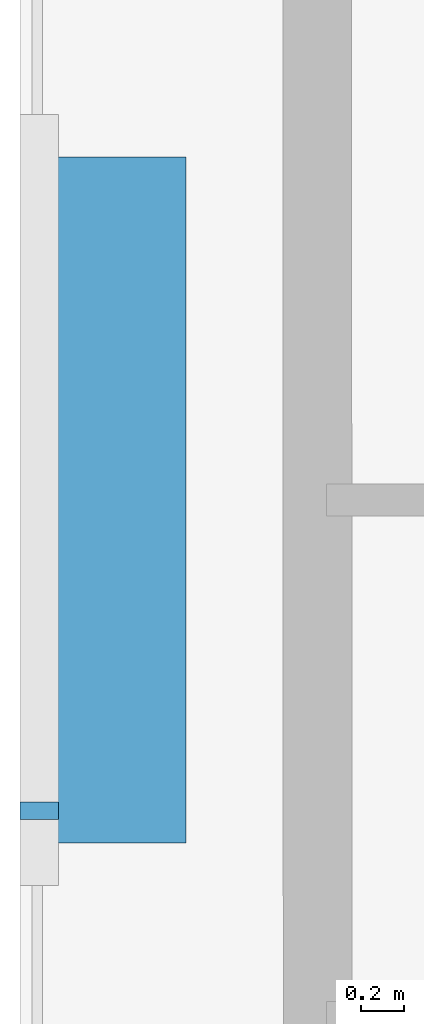
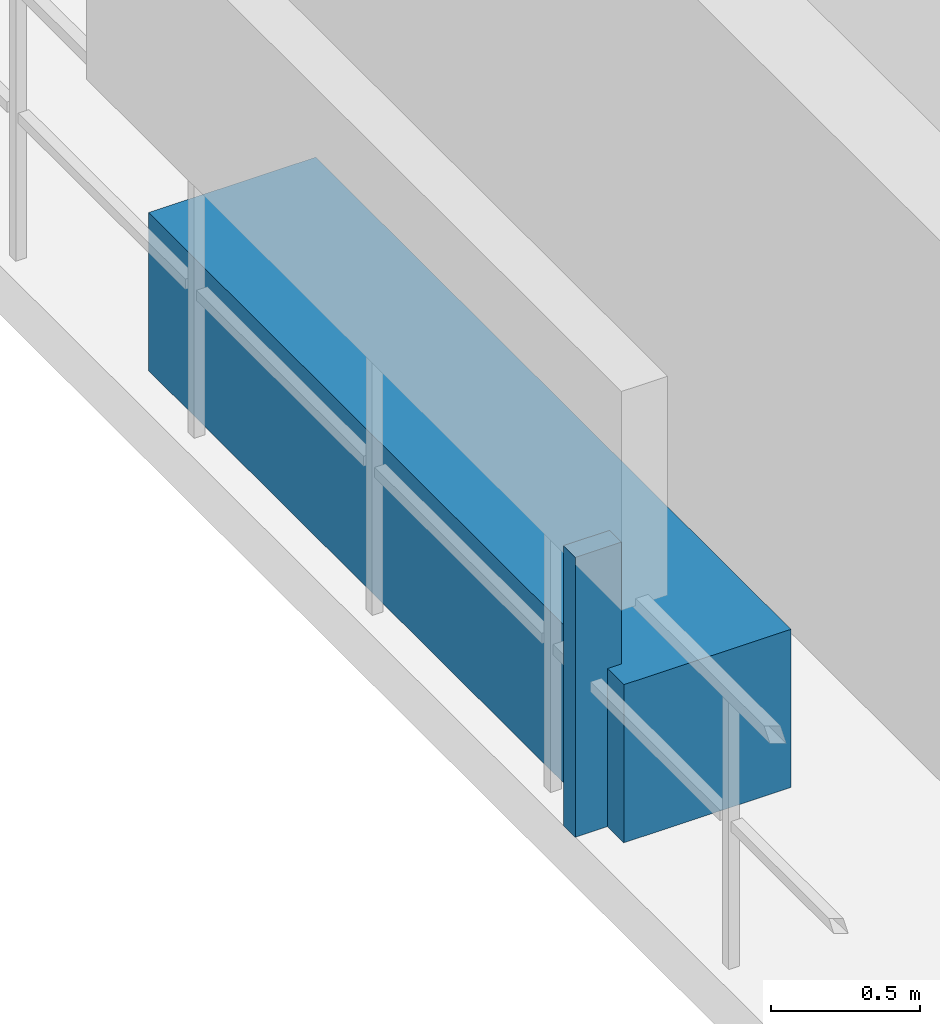
# One storey, part 29 of 34: 2 discrete accessories.
"""IFC4 building model written with IfcOpenShell, lengths in metres."""

from ifc_helpers import new_model, si_unit, direction, frame, origin, origin_2d, place, context, subcontext, project, spatial, rectangle, extrude, material, type_object, element, save


model = new_model("IFC4")

# Units and contexts
model_context = context("Model", 3, precision=1e-05, world=origin(), true_north=direction((0.0, 1.0)))
body_context = subcontext(model_context, "Body", "Model", "MODEL_VIEW")
ifc_project = project(units=[si_unit("LENGTHUNIT", "METRE"), si_unit("AREAUNIT", "SQUARE_METRE"), si_unit("VOLUMEUNIT", "CUBIC_METRE"), si_unit("PLANEANGLEUNIT", "RADIAN"), si_unit("MASSUNIT", "GRAM", prefix="KILO")], contexts=[model_context])

# Site, building, storey
site_placement = place(None, origin())
site = spatial("IfcSite", under=ifc_project, at=site_placement, CompositionType="ELEMENT")
building_placement = place(site_placement, origin())
building = spatial("IfcBuilding", under=site, at=building_placement, Name="Thornwick Lancets Civic Towers", CompositionType="ELEMENT")
storey_placement = place(building_placement, frame((0.0, 0.0, 251.10009765625)))
storey = spatial("IfcBuildingStorey", under=building, at=storey_placement, Name="L67", CompositionType="ELEMENT", Elevation=251.10009765625)

# Discrete accessories
ifc_material_1 = material(Name="Planted terracotta greenery planter", Category="masonry")
discrete_accessory_type_1 = type_object("IfcDiscreteAccessoryType", Name="ACC_PLANTER_BOX", PredefinedType="USERDEFINED", material=ifc_material_1)
discrete_accessory_1_placement = place(storey_placement, frame((0.800048828125, 27.0, 0.0), z_axis=(0.0, 0.0, 1.0), x_axis=(1.0, 0.0, 0.0)))
element("IfcDiscreteAccessory", 1, at=discrete_accessory_1_placement, inside=storey, type_object=discrete_accessory_type_1, Name="L67 Tower A Balcony Greenery Planter W", ObjectType="PLANTER", PredefinedType="USERDEFINED", context=body_context, shape_type="SweptSolid", body=[
    extrude(rectangle(XDim=0.64990234375, YDim=3.199951171875, at=origin_2d()), origin(), (0.0, 0.0, 1.0), 0.64990234375),
])
ifc_material_2 = material(Name="Stainless steel S355", Category="steel")
discrete_accessory_type_2 = type_object("IfcDiscreteAccessoryType", Name="ACC_SCREEN_BRACKET", PredefinedType="BRACKET", material=ifc_material_2)
discrete_accessory_2_placement = place(storey_placement, frame((0.43994140625, 25.550048828125, 0.0), z_axis=(0.0, 0.0, 1.0), x_axis=(0.0, 1.0, 0.0)))
element("IfcDiscreteAccessory", 2, at=discrete_accessory_2_placement, inside=storey, type_object=discrete_accessory_type_2, Name="L67 Tower A Balcony Screen Stanchion Bracket W-1", PredefinedType="BRACKET", context=body_context, shape_type="SweptSolid", body=[
    extrude(rectangle(XDim=0.080078125, YDim=0.179931640625, at=origin_2d()), origin(), (0.0, 0.0, 1.0), 1.14990234375),
])

save(model, "model.ifc")
